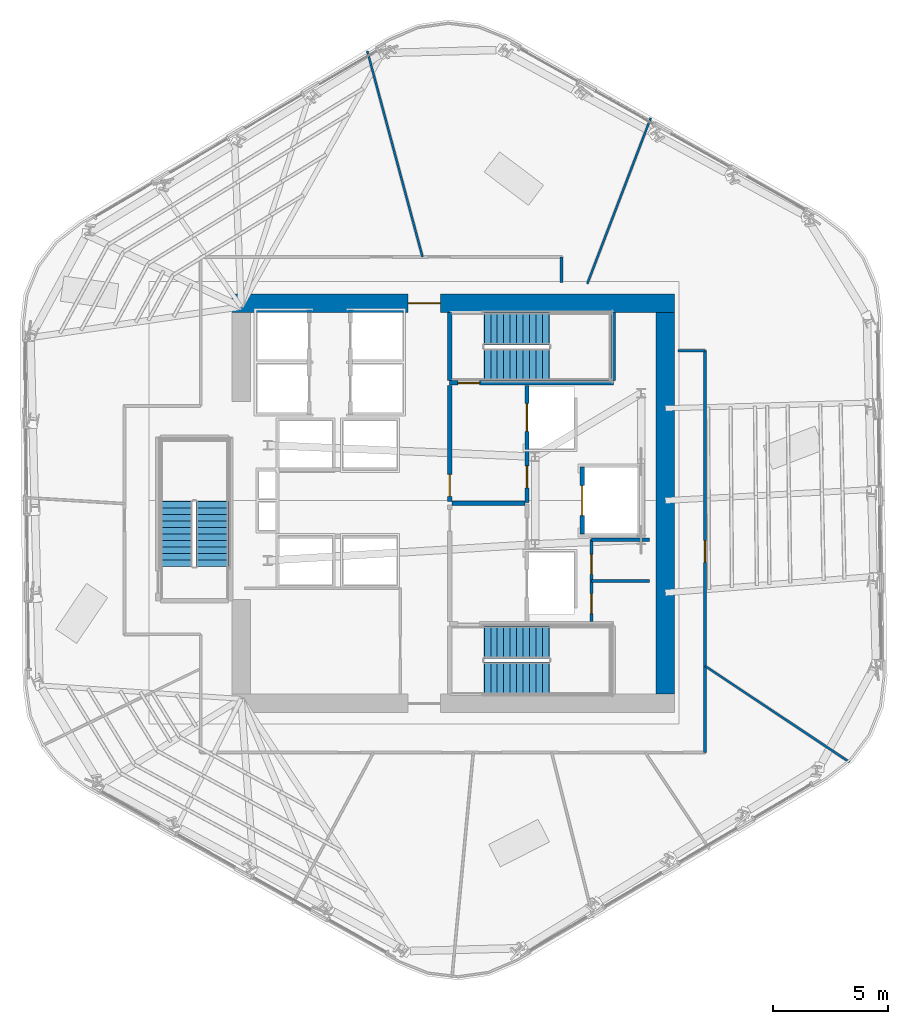
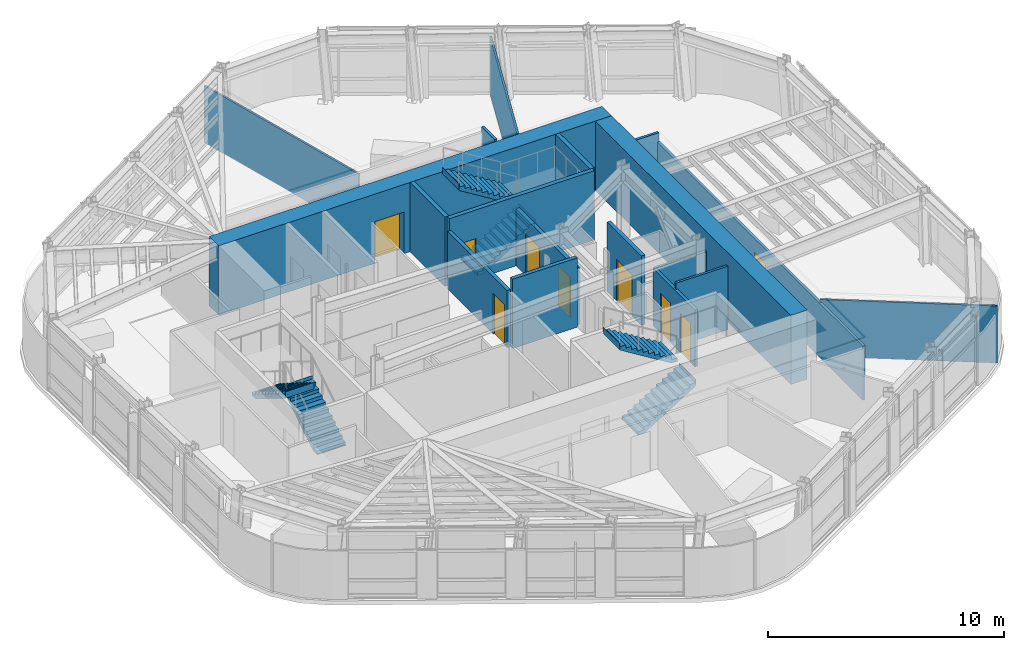
# One storey, part 9 of 16: 18 walls, 9 doors, 6 stair flights, 9 openings, 3 elements without a shape of their own.
"""IFC4 building model written with IfcOpenShell, lengths in metres."""

from ifc_helpers import new_model, si_unit, direction, frame, frame_2d, origin, place, context, subcontext, project, spatial, polyline, rectangle, outline, extrude, material, layer, layer_set, type_object, element, fill, aggregate, save


model = new_model("IFC4")

# Units and contexts
model_context = context("Model", 3, precision=1e-05, world=origin(), true_north=direction((0.0, 1.0)))
body_context = subcontext(model_context, "Body", "Model", "MODEL_VIEW")
ifc_project = project(units=[si_unit("LENGTHUNIT", "METRE"), si_unit("AREAUNIT", "SQUARE_METRE"), si_unit("VOLUMEUNIT", "CUBIC_METRE"), si_unit("PLANEANGLEUNIT", "RADIAN"), si_unit("MASSUNIT", "GRAM", prefix="KILO")], contexts=[model_context])

# Site, building, storey
site_placement = place(None, origin())
site = spatial("IfcSite", under=ifc_project, at=site_placement, CompositionType="ELEMENT")
building_placement = place(site_placement, origin())
building = spatial("IfcBuilding", under=site, at=building_placement, Name="Valkerne Bourse Tower", CompositionType="ELEMENT")
storey_placement = place(building_placement, frame((0.0, 0.0, 155.199951171875)))
storey = spatial("IfcBuildingStorey", under=building, at=storey_placement, Name="L39", CompositionType="ELEMENT", Elevation=155.199951171875)

# Wall, opening, door
ifc_material_1 = material(Name="Concrete C55/67", Category="concrete")
ifc_layer_1 = layer(ifc_material_1, 0.800048828125)
ifc_layer_set_1 = layer_set([ifc_layer_1], Name="Concrete C55/67")
wall_type_1 = type_object("IfcWallType", Name="W-CORE-800", PredefinedType="SHEAR", material=ifc_layer_set_1)
wall_1_placement = place(storey_placement, frame((37.199951171875, 35.550048828125, 0.0), z_axis=(0.0, 0.0, 1.0), x_axis=(1.0, 0.0, 0.0)))
wall_1 = element("IfcWall", 1, at=wall_1_placement, inside=storey, type_object=wall_type_1, Name="L39 Core Shear Wall NORTH", PredefinedType="SHEAR", context=body_context, shape_type="SweptSolid", body=[
    extrude(rectangle(XDim=19.199951171875, YDim=0.800048828125, at=frame_2d((9.60009765625, 0.0))), origin(), (0.0, 0.0, 1.0), 3.580078125),
])
opening_1_placement = place(wall_1_placement, frame((7.64990234375, 0.0, 0.0)))
opening_1 = element("IfcOpeningElement", 2, at=opening_1_placement, cuts=wall_1, Name="Opening D-PL-1400", PredefinedType="OPENING", context=body_context, shape_type="SweptSolid", body=[
    extrude(rectangle(XDim=1.39990234375, YDim=2.14990234375, at=frame_2d((0.699951171875, 1.074951171875))), frame((0.0, 0.409912109375, 0.0), z_axis=(0.0, -1.0, 0.0), x_axis=(1.0, 0.0, 0.0)), (0.0, 0.0, 1.0), 0.820068359375),
])
ifc_material_2 = material(Name="Galvanised Painted Steel", Category="steel")
door_type_1 = type_object("IfcDoorType", Name="DR-PLT-1400", OperationType="DOUBLE_DOOR_SINGLE_SWING", PredefinedType="DOOR", material=ifc_material_2)
door_1_placement = place(opening_1_placement, origin())
door_1 = element("IfcDoor", 3, at=door_1_placement, inside=storey, type_object=door_type_1, Name="L39 North Passenger Lift Hall Fire Door", OperationType="DOUBLE_DOOR_SINGLE_SWING", OverallHeight=2.14990234375, OverallWidth=1.39990234375, PredefinedType="DOOR", context=body_context, shape_type="SweptSolid", body=[
    extrude(rectangle(XDim=1.39990234375, YDim=2.14990234375, at=frame_2d((0.699951171875, 1.074951171875))), frame((0.0, 0.02490234375, 0.0), z_axis=(0.0, -1.0, 0.0), x_axis=(1.0, 0.0, 0.0)), (0.0, 0.0, 1.0), 0.050048828125),
])
fill(opening_1, door_1)

# Walls
wall_2_placement = place(storey_placement, frame((56.0, 18.60009765625, 0.0), z_axis=(0.0, 0.0, 1.0), x_axis=(0.0, 1.0, 0.0)))
element("IfcWall", 4, at=wall_2_placement, inside=storey, type_object=wall_type_1, Name="L39 Core Shear Wall EAST", PredefinedType="SHEAR", context=body_context, shape_type="SweptSolid", body=[
    extrude(rectangle(XDim=16.5498046875, YDim=0.800048828125, at=frame_2d((8.27490234375, 0.0))), origin(), (0.0, 0.0, 1.0), 3.580078125),
])
ifc_material_3 = material(Name="Gypsum Board Steel-Stud Partition", Category="steel")
ifc_layer_2 = layer(ifc_material_3, 0.117919921875)
ifc_layer_set_2 = layer_set([ifc_layer_2], Name="Gypsum Board Steel-Stud Partition")
wall_type_2 = type_object("IfcWallType", Name="W-CORR-140", PredefinedType="PARTITIONING", material=ifc_layer_set_2)
wall_3_placement = place(storey_placement, frame((52.800048828125, 23.510009765625, 0.0), z_axis=(0.0, 0.0, 1.0), x_axis=(1.0, 0.0, 0.0)))
element("IfcWall", 5, at=wall_3_placement, inside=storey, type_object=wall_type_2, Name="L39 Core SE Dual Divider", PredefinedType="PARTITIONING", context=body_context, shape_type="SweptSolid", body=[
    extrude(rectangle(XDim=2.52001953125, YDim=0.117919921875, at=frame_2d((1.260009765625, 0.0))), origin(), (0.0, 0.0, 1.0), 3.280029296875),
])
wall_4_placement = place(storey_placement, frame((51.5, 37.56005859375, 0.0), z_axis=(0.0, 0.0, 1.0), x_axis=(0.0, -1.0, 0.0)))
element("IfcWall", 6, at=wall_4_placement, inside=storey, type_object=wall_type_2, Name="L39 Corridor Enclosure Wall", PredefinedType="PARTITIONING", context=body_context, shape_type="SweptSolid", body=[
    extrude(rectangle(XDim=1.10009765625, YDim=0.117919921875, at=frame_2d((0.550048828125, 0.0))), origin(), (0.0, 0.0, 1.0), 3.280029296875),
])
wall_5_placement = place(storey_placement, frame((56.56005859375, 33.5, 0.0), z_axis=(0.0, 0.0, 1.0), x_axis=(1.0, 0.0, 0.0)))
element("IfcWall", 7, at=wall_5_placement, inside=storey, type_object=wall_type_2, Name="L39 Corridor Enclosure Wall", PredefinedType="PARTITIONING", context=body_context, shape_type="SweptSolid", body=[
    extrude(rectangle(XDim=1.159912109375, YDim=0.117919921875, at=frame_2d((0.580078125, 0.0))), origin(), (0.0, 0.0, 1.0), 3.280029296875),
])

# Wall, opening, door
wall_6_placement = place(storey_placement, frame((57.719970703125, 33.5, 0.0), z_axis=(0.0, 0.0, 1.0), x_axis=(0.0, -1.0, 0.0)))
wall_6 = element("IfcWall", 8, at=wall_6_placement, inside=storey, type_object=wall_type_2, Name="L39 Corridor Enclosure Wall", PredefinedType="PARTITIONING", context=body_context, shape_type="SweptSolid", body=[
    extrude(rectangle(XDim=17.419921875, YDim=0.117919921875, at=frame_2d((8.7099609375, 0.0))), origin(), (0.0, 0.0, 1.0), 2.800537109375),
])
opening_2_placement = place(wall_6_placement, frame((8.235107421875, 0.0, 0.0)))
opening_2 = element("IfcOpeningElement", 9, at=opening_2_placement, cuts=wall_6, Name="Opening D-OF-950", PredefinedType="OPENING", context=body_context, shape_type="SweptSolid", body=[
    extrude(rectangle(XDim=0.949951171875, YDim=2.10009765625, at=frame_2d((0.47509765625, 1.050048828125))), frame((0.0, 0.06884765625, 0.0), z_axis=(0.0, -1.0, 0.0), x_axis=(1.0, 0.0, 0.0)), (0.0, 0.0, 1.0), 0.137939453125),
])
ifc_material_4 = material(Name="Architectural White Oak Timber", Category="wood")
door_type_2 = type_object("IfcDoorType", Name="DR-OFF-950", OperationType="NOTDEFINED", PredefinedType="DOOR", material=ifc_material_4)
door_2_placement = place(opening_2_placement, origin())
door_2 = element("IfcDoor", 10, at=door_2_placement, inside=storey, type_object=door_type_2, Name="L39 L39 Trading Desk Office 9 Door", OperationType="SINGLE_SWING_LEFT", OverallHeight=2.10009765625, OverallWidth=0.949951171875, PredefinedType="DOOR", context=body_context, shape_type="SweptSolid", body=[
    extrude(rectangle(XDim=0.949951171875, YDim=2.10009765625, at=frame_2d((0.47509765625, 1.050048828125))), frame((0.0, 0.02490234375, 0.0), z_axis=(0.0, -1.0, 0.0), x_axis=(1.0, 0.0, 0.0)), (0.0, 0.0, 1.0), 0.050048828125),
])
fill(opening_2, door_2)

# Wall
ifc_material_5 = material(Name="Gypsum Fire-Rated Shaftwall", Category="gypsum")
ifc_layer_3 = layer(ifc_material_5, 0.179931640625)
ifc_layer_set_3 = layer_set([ifc_layer_3], Name="Gypsum Fire-Rated Shaftwall")
wall_type_3 = type_object("IfcWallType", Name="W-FSAE-180", PredefinedType="PARTITIONING", material=ifc_layer_set_3)
wall_7_placement = place(storey_placement, frame((46.739990234375, 26.8798828125, 0.0), z_axis=(0.0, 0.0, 1.0), x_axis=(1.0, 0.0, 0.0)))
element("IfcWall", 11, at=wall_7_placement, inside=storey, type_object=wall_type_3, Name="L39 FSAE-1/2 Lobby Dividing Fire Wall", PredefinedType="PARTITIONING", context=body_context, shape_type="SweptSolid", body=[
    extrude(rectangle(XDim=3.169921875, YDim=0.179931640625, at=frame_2d((1.5849609375, 0.0))), origin(), (0.0, 0.0, 1.0), 3.580078125),
])

# Wall, opening, door
wall_8_placement = place(storey_placement, frame((46.64990234375, 26.9599609375, 0.0), z_axis=(0.0, 0.0, 1.0), x_axis=(0.0, 1.0, 0.0)))
wall_8 = element("IfcWall", 12, at=wall_8_placement, inside=storey, type_object=wall_type_3, Name="L39 FSAE-2 Lobby West Fire Wall", PredefinedType="PARTITIONING", context=body_context, shape_type="SweptSolid", body=[
    extrude(rectangle(XDim=5.0400390625, YDim=0.179931640625, at=frame_2d((2.52001953125, 0.0))), origin(), (0.0, 0.0, 1.0), 2.9580078125),
])
opening_3_placement = place(wall_8_placement, frame((0.219970703125, 0.0, 0.0)))
opening_3 = element("IfcOpeningElement", 13, at=opening_3_placement, cuts=wall_8, Name="Opening D-FS-950", PredefinedType="OPENING", context=body_context, shape_type="SweptSolid", body=[
    extrude(rectangle(XDim=0.949951171875, YDim=2.10009765625, at=frame_2d((0.47509765625, 1.050048828125))), frame((0.0, 0.099853515625, 0.0), z_axis=(0.0, -1.0, 0.0), x_axis=(1.0, 0.0, 0.0)), (0.0, 0.0, 1.0), 0.199951171875),
])
door_type_3 = type_object("IfcDoorType", Name="DR-FSAE-950", OperationType="NOTDEFINED", PredefinedType="DOOR", material=ifc_material_2)
door_3_placement = place(opening_3_placement, origin())
door_3 = element("IfcDoor", 14, at=door_3_placement, inside=storey, type_object=door_type_3, Name="L39 FSAE-2 Hall Link Fire Door", OperationType="SINGLE_SWING_LEFT", OverallHeight=2.10009765625, OverallWidth=0.949951171875, PredefinedType="DOOR", context=body_context, shape_type="SweptSolid", body=[
    extrude(rectangle(XDim=0.949951171875, YDim=2.10009765625, at=frame_2d((0.47509765625, 1.050048828125))), frame((0.0, 0.02490234375, 0.0), z_axis=(0.0, -1.0, 0.0), x_axis=(1.0, 0.0, 0.0)), (0.0, 0.0, 1.0), 0.050048828125),
])
fill(opening_3, door_3)

# Wall, openings, doors
wall_9_placement = place(storey_placement, frame((50.0, 26.919921875, 0.0), z_axis=(0.0, 0.0, 1.0), x_axis=(0.0, 1.0, 0.0)))
wall_9 = element("IfcWall", 15, at=wall_9_placement, inside=storey, type_object=wall_type_3, Name="L39 FSAE-2 Lobby & Shaft Front Wall", PredefinedType="PARTITIONING", context=body_context, shape_type="SweptSolid", body=[
    extrude(rectangle(XDim=5.080078125, YDim=0.179931640625, at=frame_2d((2.5400390625, 0.0))), origin(), (0.0, 0.0, 1.0), 2.9580078125),
])
opening_4_placement = place(wall_9_placement, frame((3.080078125, 0.0, 0.0)))
opening_4 = element("IfcOpeningElement", 16, at=opening_4_placement, cuts=wall_9, Name="Opening LD-1200", PredefinedType="OPENING", context=body_context, shape_type="SweptSolid", body=[
    extrude(rectangle(XDim=1.199951171875, YDim=2.14990234375, at=frame_2d((0.60009765625, 1.074951171875))), frame((0.0, 0.099853515625, 0.0), z_axis=(0.0, -1.0, 0.0), x_axis=(1.0, 0.0, 0.0)), (0.0, 0.0, 1.0), 0.199951171875),
])
opening_5_placement = place(wall_9_placement, frame((0.6298828125, 0.0, 0.0)))
opening_5 = element("IfcOpeningElement", 17, at=opening_5_placement, cuts=wall_9, Name="Opening D-FS-950", PredefinedType="OPENING", context=body_context, shape_type="SweptSolid", body=[
    extrude(rectangle(XDim=0.949951171875, YDim=2.10009765625, at=frame_2d((0.47509765625, 1.050048828125))), frame((0.0, 0.099853515625, 0.0), z_axis=(0.0, -1.0, 0.0), x_axis=(1.0, 0.0, 0.0)), (0.0, 0.0, 1.0), 0.199951171875),
])
door_4_placement = place(opening_5_placement, origin())
door_4 = element("IfcDoor", 18, at=door_4_placement, inside=storey, type_object=door_type_3, Name="L39 FSAE-2 Lobby Corridor Fire Door", OperationType="SINGLE_SWING_LEFT", OverallHeight=2.10009765625, OverallWidth=0.949951171875, PredefinedType="DOOR", context=body_context, shape_type="SweptSolid", body=[
    extrude(rectangle(XDim=0.949951171875, YDim=2.10009765625, at=frame_2d((0.47509765625, 1.050048828125))), frame((0.0, 0.02490234375, 0.0), z_axis=(0.0, -1.0, 0.0), x_axis=(1.0, 0.0, 0.0)), (0.0, 0.0, 1.0), 0.050048828125),
])
fill(opening_5, door_4)
ifc_material_6 = material(Name="Stainless Steel AISI 316", Category="steel")
door_type_4 = type_object("IfcDoorType", Name="DR-LIFT-1200", OperationType="DOUBLE_DOOR_SLIDING", PredefinedType="DOOR", material=ifc_material_6)
door_5_placement = place(opening_4_placement, origin())
door_5 = element("IfcDoor", 19, at=door_5_placement, inside=storey, type_object=door_type_4, Name="L39 FSAE-2 Firefighting Lift Landing Door", OperationType="DOUBLE_DOOR_SLIDING", OverallHeight=2.14990234375, OverallWidth=1.199951171875, PredefinedType="DOOR", context=body_context, shape_type="SweptSolid", body=[
    extrude(rectangle(XDim=1.199951171875, YDim=2.14990234375, at=frame_2d((0.60009765625, 1.074951171875))), frame((0.0, 0.02490234375, 0.0), z_axis=(0.0, -1.0, 0.0), x_axis=(1.0, 0.0, 0.0)), (0.0, 0.0, 1.0), 0.050048828125),
])
fill(opening_4, door_5)

# Wall, opening, door
ifc_material_7 = material(Name="CMU Blockwork Masonry 200mm", Category="masonry")
ifc_layer_4 = layer(ifc_material_7, 0.179931640625)
ifc_layer_set_4 = layer_set([ifc_layer_4], Name="CMU Blockwork Masonry 200mm")
wall_type_4 = type_object("IfcWallType", Name="W-LFT-180", PredefinedType="SOLIDWALL", material=ifc_layer_set_4)
wall_10_placement = place(storey_placement, frame((52.39990234375, 25.550048828125, 0.0), z_axis=(0.0, 0.0, 1.0), x_axis=(0.0, 1.0, 0.0)))
wall_10 = element("IfcWall", 20, at=wall_10_placement, inside=storey, type_object=wall_type_4, Name="L39 Service Lift SV-1 Front Wall", PredefinedType="SOLIDWALL", context=body_context, shape_type="SweptSolid", body=[
    extrude(rectangle(XDim=2.89990234375, YDim=0.179931640625, at=frame_2d((1.449951171875, 0.0))), origin(), (0.0, 0.0, 1.0), 3.580078125),
])
opening_6_placement = place(wall_10_placement, frame((0.800048828125, 0.0, 0.0)))
opening_6 = element("IfcOpeningElement", 21, at=opening_6_placement, cuts=wall_10, Name="Opening LD-1300", PredefinedType="OPENING", context=body_context, shape_type="SweptSolid", body=[
    extrude(rectangle(XDim=1.300048828125, YDim=2.14990234375, at=frame_2d((0.64990234375, 1.074951171875))), frame((0.0, 0.099853515625, 0.0), z_axis=(0.0, -1.0, 0.0), x_axis=(1.0, 0.0, 0.0)), (0.0, 0.0, 1.0), 0.199951171875),
])
door_type_5 = type_object("IfcDoorType", Name="DR-LIFT-1300", OperationType="DOUBLE_DOOR_SLIDING", PredefinedType="DOOR", material=ifc_material_6)
door_6_placement = place(opening_6_placement, origin())
door_6 = element("IfcDoor", 22, at=door_6_placement, inside=storey, type_object=door_type_5, Name="L39 Service Lift SV-1 Landing Door", OperationType="DOUBLE_DOOR_SLIDING", OverallHeight=2.14990234375, OverallWidth=1.300048828125, PredefinedType="DOOR", context=body_context, shape_type="SweptSolid", body=[
    extrude(rectangle(XDim=1.300048828125, YDim=2.14990234375, at=frame_2d((0.64990234375, 1.074951171875))), frame((0.0, 0.02490234375, 0.0), z_axis=(0.0, -1.0, 0.0), x_axis=(1.0, 0.0, 0.0)), (0.0, 0.0, 1.0), 0.050048828125),
])
fill(opening_6, door_6)

# Walls
ifc_layer_5 = layer(ifc_material_3, 0.092041015625)
ifc_layer_set_5 = layer_set([ifc_layer_5], Name="Gypsum Board Steel-Stud Partition")
wall_type_5 = type_object("IfcWallType", Name="W-PART-115", PredefinedType="PARTITIONING", material=ifc_layer_set_5)
wall_11_placement = place(storey_placement, frame((57.72509765625, 19.82470703125, 0.0), z_axis=(0.0, 0.0, 1.0), x_axis=(0.832389423116, -0.554191165831, 0.0)))
element("IfcWall", 23, at=wall_11_placement, inside=storey, type_object=wall_type_5, Name="L39 Suite Partition P04", PredefinedType="PARTITIONING", context=body_context, shape_type="SweptSolid", body=[
    extrude(rectangle(XDim=7.52783203125, YDim=0.092041015625, at=frame_2d((3.763916015625, 0.0))), origin(), (0.0, 0.0, 1.0), 2.942626953125),
])
wall_12_placement = place(storey_placement, frame((52.616943359375, 36.39990234375, 0.0), z_axis=(0.0, 0.0, 1.0), x_axis=(0.357310009347, 0.933985844229, 0.0)))
element("IfcWall", 24, at=wall_12_placement, inside=storey, type_object=wall_type_5, Name="L39 Suite Partition P05", PredefinedType="PARTITIONING", context=body_context, shape_type="SweptSolid", body=[
    extrude(rectangle(XDim=7.697021484375, YDim=0.092041015625, at=frame_2d((3.8486328125, 0.0))), origin(), (0.0, 0.0, 1.0), 2.942626953125),
])
wall_13_placement = place(storey_placement, frame((45.470703125, 37.56494140625, 0.0), z_axis=(0.0, 0.0, 1.0), x_axis=(-0.259112340034, 0.96584719042, 0.0)))
element("IfcWall", 25, at=wall_13_placement, inside=storey, type_object=wall_type_5, Name="L39 Suite Partition P06", PredefinedType="PARTITIONING", context=body_context, shape_type="SweptSolid", body=[
    extrude(rectangle(XDim=9.2431640625, YDim=0.092041015625, at=frame_2d((4.62158203125, 0.0))), origin(), (0.0, 0.0, 1.0), 2.942626953125),
])

# Wall, opening, door
ifc_material_8 = material(Name="Concrete C40/50", Category="concrete")
ifc_layer_6 = layer(ifc_material_8, 0.199951171875)
ifc_layer_set_6 = layer_set([ifc_layer_6], Name="Concrete C40/50")
wall_type_6 = type_object("IfcWallType", Name="W-SHF-200", PredefinedType="SHEAR", material=ifc_layer_set_6)
wall_14_placement = place(storey_placement, frame((46.64990234375, 32.10009765625, 0.0), z_axis=(0.0, 0.0, 1.0), x_axis=(1.0, 0.0, 0.0)))
wall_14 = element("IfcWall", 26, at=wall_14_placement, inside=storey, type_object=wall_type_6, Name="L39 Exit Stair ST-2 Structural Shaft Wall South", PredefinedType="SHEAR", context=body_context, shape_type="SweptSolid", body=[
    extrude(rectangle(XDim=7.10009765625, YDim=0.199951171875, at=frame_2d((3.550048828125, 0.0))), origin(), (0.0, 0.0, 1.0), 3.580078125),
])
opening_7_placement = place(wall_14_placement, frame((0.35009765625, 0.0, 0.0)))
opening_7 = element("IfcOpeningElement", 27, at=opening_7_placement, cuts=wall_14, Name="Opening D-ST-950", PredefinedType="OPENING", context=body_context, shape_type="SweptSolid", body=[
    extrude(rectangle(XDim=0.949951171875, YDim=2.10009765625, at=frame_2d((0.47509765625, 1.050048828125))), frame((0.0, 0.10986328125, 0.0), z_axis=(0.0, -1.0, 0.0), x_axis=(1.0, 0.0, 0.0)), (0.0, 0.0, 1.0), 0.219970703125),
])
door_type_6 = type_object("IfcDoorType", Name="DR-STAIR-950", OperationType="NOTDEFINED", PredefinedType="DOOR", material=ifc_material_2)
door_7_placement = place(opening_7_placement, origin())
door_7 = element("IfcDoor", 28, at=door_7_placement, inside=storey, type_object=door_type_6, Name="L39 Exit Stair ST-2 Door", OperationType="SINGLE_SWING_RIGHT", OverallHeight=2.10009765625, OverallWidth=0.949951171875, PredefinedType="DOOR", context=body_context, shape_type="SweptSolid", body=[
    extrude(rectangle(XDim=0.949951171875, YDim=2.10009765625, at=frame_2d((0.47509765625, 1.050048828125))), frame((0.0, 0.02490234375, 0.0), z_axis=(0.0, -1.0, 0.0), x_axis=(1.0, 0.0, 0.0)), (0.0, 0.0, 1.0), 0.050048828125),
])
fill(opening_7, door_7)

# Walls
for number, where, z_axis, x_axis, name in (
    (29, (46.64990234375, 32.199951171875, 0.0), (0.0, 0.0, 1.0), (0.0, 1.0, 0.0), "L39 Exit Stair ST-2 Structural Shaft Wall West"),
    (30, (53.75, 32.199951171875, 0.0), (0.0, 0.0, 1.0), (0.0, 1.0, 0.0), "L39 Exit Stair ST-2 Structural Shaft Wall East"),
):
    element("IfcWall", number, at=place(storey_placement, frame(where, z_axis=z_axis, x_axis=x_axis)), inside=storey, type_object=wall_type_6, Name=name, PredefinedType="SHEAR", context=body_context, shape_type="SweptSolid", body=[
        extrude(rectangle(XDim=2.949951171875, YDim=0.199951171875, at=frame_2d((1.47509765625, 0.0))), origin(), (0.0, 0.0, 1.0), 3.580078125),
    ])

# Wall, openings, doors
ifc_material_9 = material(Name="Moisture-Resistant Gypsum Partition", Category="gypsum")
ifc_layer_7 = layer(ifc_material_9, 0.139892578125)
ifc_layer_set_7 = layer_set([ifc_layer_7], Name="Moisture-Resistant Gypsum Partition")
wall_type_7 = type_object("IfcWallType", Name="W-WET-140", PredefinedType="PARTITIONING", material=ifc_layer_set_7)
wall_15_placement = place(storey_placement, frame((52.800048828125, 21.75, 0.0), z_axis=(0.0, 0.0, 1.0), x_axis=(0.0, 1.0, 0.0)))
wall_15 = element("IfcWall", 31, at=wall_15_placement, inside=storey, type_object=wall_type_7, Name="L39 Core SE Dual West Wall", PredefinedType="PARTITIONING", context=body_context, shape_type="SweptSolid", body=[
    extrude(rectangle(XDim=3.550048828125, YDim=0.139892578125, at=frame_2d((1.77490234375, 0.0))), origin(), (0.0, 0.0, 1.0), 2.9580078125),
])
opening_8_placement = place(wall_15_placement, frame((0.35009765625, 0.0, 0.0)))
opening_8 = element("IfcOpeningElement", 32, at=opening_8_placement, cuts=wall_15, Name="Opening D-WC-900", PredefinedType="OPENING", context=body_context, shape_type="SweptSolid", body=[
    extrude(rectangle(XDim=0.860107421875, YDim=2.050048828125, at=frame_2d((0.43017578125, 1.02490234375))), frame((0.0, 0.079833984375, 0.0), z_axis=(0.0, -1.0, 0.0), x_axis=(1.0, 0.0, 0.0)), (0.0, 0.0, 1.0), 0.159912109375),
])
opening_9_placement = place(wall_15_placement, frame((2.050048828125, 0.0, 0.0)))
opening_9 = element("IfcOpeningElement", 33, at=opening_9_placement, cuts=wall_15, Name="Opening D-WC-900", PredefinedType="OPENING", context=body_context, shape_type="SweptSolid", body=[
    extrude(rectangle(XDim=0.860107421875, YDim=2.050048828125, at=frame_2d((0.43017578125, 1.02490234375))), frame((0.0, 0.079833984375, 0.0), z_axis=(0.0, -1.0, 0.0), x_axis=(1.0, 0.0, 0.0)), (0.0, 0.0, 1.0), 0.159912109375),
])
door_type_7 = type_object("IfcDoorType", Name="DR-WC-900", OperationType="NOTDEFINED", PredefinedType="DOOR", material=ifc_material_4)
door_8_placement = place(opening_8_placement, origin())
door_8 = element("IfcDoor", 34, at=door_8_placement, inside=storey, type_object=door_type_7, Name="L39 Linen Store Door", OperationType="SINGLE_SWING_LEFT", OverallHeight=2.050048828125, OverallWidth=0.860107421875, PredefinedType="DOOR", context=body_context, shape_type="SweptSolid", body=[
    extrude(rectangle(XDim=0.860107421875, YDim=2.050048828125, at=frame_2d((0.43017578125, 1.02490234375))), frame((0.0, 0.02490234375, 0.0), z_axis=(0.0, -1.0, 0.0), x_axis=(1.0, 0.0, 0.0)), (0.0, 0.0, 1.0), 0.050048828125),
])
fill(opening_8, door_8)
door_9_placement = place(opening_9_placement, origin())
door_9 = element("IfcDoor", 35, at=door_9_placement, inside=storey, type_object=door_type_7, Name="L39 Espresso Kitchen Door", OperationType="SINGLE_SWING_RIGHT", OverallHeight=2.050048828125, OverallWidth=0.860107421875, PredefinedType="DOOR", context=body_context, shape_type="SweptSolid", body=[
    extrude(rectangle(XDim=0.860107421875, YDim=2.050048828125, at=frame_2d((0.43017578125, 1.02490234375))), frame((0.0, 0.02490234375, 0.0), z_axis=(0.0, -1.0, 0.0), x_axis=(1.0, 0.0, 0.0)), (0.0, 0.0, 1.0), 0.050048828125),
])
fill(opening_9, door_9)

# Wall
wall_16_placement = place(storey_placement, frame((52.800048828125, 25.300048828125, 0.0), z_axis=(0.0, 0.0, 1.0), x_axis=(1.0, 0.0, 0.0)))
element("IfcWall", 36, at=wall_16_placement, inside=storey, type_object=wall_type_7, Name="L39 Core SE Dual North Wall", PredefinedType="PARTITIONING", context=body_context, shape_type="SweptSolid", body=[
    extrude(rectangle(XDim=2.52001953125, YDim=0.139892578125, at=frame_2d((1.260009765625, 0.0))), origin(), (0.0, 0.0, 1.0), 2.9580078125),
])

# Stair, stair flights
stair_type = type_object("IfcStairType", Name="ST-CORE-1400", PredefinedType="HALF_TURN_STAIR", material=ifc_material_8)
stair_1_placement = place(storey_placement, origin())
stair_1 = element("IfcStair", 37, at=stair_1_placement, inside=storey, type_object=stair_type, Name="L39 ST-1", PredefinedType="HALF_TURN_STAIR")
stair_flight_type = type_object("IfcStairFlightType", Name="STF-CORE-1400", PredefinedType="STRAIGHT", material=ifc_material_8)
stair_flight_1_placement = place(storey_placement, frame((48.14990234375, 19.300048828125, 0.0), z_axis=(0.0, 0.0, 1.0), x_axis=(1.0, 0.0, 0.0)))
stair_flight_1 = element("IfcStairFlight", 38, at=stair_flight_1_placement, type_object=stair_flight_type, Name="ST-1 flight 1", NumberOfRisers=11, NumberOfTreads=10, PredefinedType="STRAIGHT", RiserHeight=0.172727273, TreadLength=0.28, context=body_context, shape_type="SweptSolid", body=[
    extrude(outline(polyline([(-0.02001953125, 0.0), (-0.02001953125, 0.044921875), (0.0, 0.044921875), (0.0, 0.172607421875), (0.280029296875, 0.172607421875), (0.280029296875, 0.345458984375), (0.56005859375, 0.345458984375), (0.56005859375, 0.51806640625), (0.840087890625, 0.51806640625), (0.840087890625, 0.69091796875), (1.1201171875, 0.69091796875), (1.1201171875, 0.863525390625), (1.39990234375, 0.863525390625), (1.39990234375, 1.036376953125), (1.679931640625, 1.036376953125), (1.679931640625, 1.208984375), (1.9599609375, 1.208984375), (1.9599609375, 1.3818359375), (2.239990234375, 1.3818359375), (2.239990234375, 1.554443359375), (2.52001953125, 1.554443359375), (2.52001953125, 1.727294921875), (2.800048828125, 1.727294921875), (2.800048828125, 1.89990234375), (2.820068359375, 1.89990234375), (2.820068359375, 1.780029296875), (2.800048828125, 1.551025390625), (0.285400390625, 0.0), (-0.02001953125, 0.0)])), frame((0.0, 0.699951171875, 0.0), z_axis=(0.0, -1.0, 0.0), x_axis=(1.0, 0.0, 0.0)), (0.0, 0.0, 1.0), 1.39990234375),
])
stair_flight_2_placement = place(storey_placement, frame((50.949951171875, 20.85009765625, 1.900146484375), z_axis=(0.0, 0.0, 1.0), x_axis=(-1.0, 0.0, 0.0)))
stair_flight_2 = element("IfcStairFlight", 39, at=stair_flight_2_placement, type_object=stair_flight_type, Name="ST-1 flight 2", NumberOfRisers=11, NumberOfTreads=10, PredefinedType="STRAIGHT", RiserHeight=0.172727273, TreadLength=0.28, context=body_context, shape_type="SweptSolid", body=[
    extrude(outline(polyline([(-0.02001953125, 0.0), (-0.02001953125, 0.044921875), (0.0, 0.044921875), (0.0, 0.172607421875), (0.280029296875, 0.172607421875), (0.280029296875, 0.345458984375), (0.56005859375, 0.345458984375), (0.56005859375, 0.51806640625), (0.840087890625, 0.51806640625), (0.840087890625, 0.69091796875), (1.1201171875, 0.69091796875), (1.1201171875, 0.863525390625), (1.39990234375, 0.863525390625), (1.39990234375, 1.036376953125), (1.679931640625, 1.036376953125), (1.679931640625, 1.208984375), (1.9599609375, 1.208984375), (1.9599609375, 1.3818359375), (2.239990234375, 1.3818359375), (2.239990234375, 1.554443359375), (2.52001953125, 1.554443359375), (2.52001953125, 1.727294921875), (2.800048828125, 1.727294921875), (2.800048828125, 1.89990234375), (2.820068359375, 1.89990234375), (2.820068359375, 1.780029296875), (2.800048828125, 1.551025390625), (0.285400390625, 0.0), (-0.02001953125, 0.0)])), frame((0.0, 0.699951171875, 0.0), z_axis=(0.0, -1.0, 0.0), x_axis=(1.0, 0.0, 0.0)), (0.0, 0.0, 1.0), 1.39990234375),
])
aggregate(stair_1, [stair_flight_1, stair_flight_2])

stair_2_placement = place(storey_placement, origin())
stair_2 = element("IfcStair", 40, at=stair_2_placement, inside=storey, type_object=stair_type, Name="L39 ST-2", PredefinedType="HALF_TURN_STAIR")
stair_flight_3_placement = place(storey_placement, frame((48.14990234375, 32.89990234375, 0.0), z_axis=(0.0, 0.0, 1.0), x_axis=(1.0, 0.0, 0.0)))
stair_flight_3 = element("IfcStairFlight", 41, at=stair_flight_3_placement, type_object=stair_flight_type, Name="ST-2 flight 1", NumberOfRisers=11, NumberOfTreads=10, PredefinedType="STRAIGHT", RiserHeight=0.172727273, TreadLength=0.28, context=body_context, shape_type="SweptSolid", body=[
    extrude(outline(polyline([(-0.02001953125, 0.0), (-0.02001953125, 0.044921875), (0.0, 0.044921875), (0.0, 0.172607421875), (0.280029296875, 0.172607421875), (0.280029296875, 0.345458984375), (0.56005859375, 0.345458984375), (0.56005859375, 0.51806640625), (0.840087890625, 0.51806640625), (0.840087890625, 0.69091796875), (1.1201171875, 0.69091796875), (1.1201171875, 0.863525390625), (1.39990234375, 0.863525390625), (1.39990234375, 1.036376953125), (1.679931640625, 1.036376953125), (1.679931640625, 1.208984375), (1.9599609375, 1.208984375), (1.9599609375, 1.3818359375), (2.239990234375, 1.3818359375), (2.239990234375, 1.554443359375), (2.52001953125, 1.554443359375), (2.52001953125, 1.727294921875), (2.800048828125, 1.727294921875), (2.800048828125, 1.89990234375), (2.820068359375, 1.89990234375), (2.820068359375, 1.780029296875), (2.800048828125, 1.551025390625), (0.285400390625, 0.0), (-0.02001953125, 0.0)])), frame((0.0, 0.699951171875, 0.0), z_axis=(0.0, -1.0, 0.0), x_axis=(1.0, 0.0, 0.0)), (0.0, 0.0, 1.0), 1.39990234375),
])
stair_flight_4_placement = place(storey_placement, frame((50.949951171875, 34.449951171875, 1.900146484375), z_axis=(0.0, 0.0, 1.0), x_axis=(-1.0, 0.0, 0.0)))
stair_flight_4 = element("IfcStairFlight", 42, at=stair_flight_4_placement, type_object=stair_flight_type, Name="ST-2 flight 2", NumberOfRisers=11, NumberOfTreads=10, PredefinedType="STRAIGHT", RiserHeight=0.172727273, TreadLength=0.28, context=body_context, shape_type="SweptSolid", body=[
    extrude(outline(polyline([(-0.02001953125, 0.0), (-0.02001953125, 0.044921875), (0.0, 0.044921875), (0.0, 0.172607421875), (0.280029296875, 0.172607421875), (0.280029296875, 0.345458984375), (0.56005859375, 0.345458984375), (0.56005859375, 0.51806640625), (0.840087890625, 0.51806640625), (0.840087890625, 0.69091796875), (1.1201171875, 0.69091796875), (1.1201171875, 0.863525390625), (1.39990234375, 0.863525390625), (1.39990234375, 1.036376953125), (1.679931640625, 1.036376953125), (1.679931640625, 1.208984375), (1.9599609375, 1.208984375), (1.9599609375, 1.3818359375), (2.239990234375, 1.3818359375), (2.239990234375, 1.554443359375), (2.52001953125, 1.554443359375), (2.52001953125, 1.727294921875), (2.800048828125, 1.727294921875), (2.800048828125, 1.89990234375), (2.820068359375, 1.89990234375), (2.820068359375, 1.780029296875), (2.800048828125, 1.551025390625), (0.285400390625, 0.0), (-0.02001953125, 0.0)])), frame((0.0, 0.699951171875, 0.0), z_axis=(0.0, -1.0, 0.0), x_axis=(1.0, 0.0, 0.0)), (0.0, 0.0, 1.0), 1.39990234375),
])
aggregate(stair_2, [stair_flight_3, stair_flight_4])

stair_3_placement = place(storey_placement, origin())
stair_3 = element("IfcStair", 43, at=stair_3_placement, inside=storey, type_object=stair_type, Name="L39 ST-3", PredefinedType="HALF_TURN_STAIR")
stair_flight_5_placement = place(storey_placement, frame((36.35009765625, 24.14990234375, 0.0), z_axis=(0.0, 0.0, 1.0), x_axis=(0.0, 1.0, 0.0)))
stair_flight_5 = element("IfcStairFlight", 44, at=stair_flight_5_placement, type_object=stair_flight_type, Name="ST-3 flight 1", NumberOfRisers=11, NumberOfTreads=10, PredefinedType="STRAIGHT", RiserHeight=0.172727273, TreadLength=0.28, context=body_context, shape_type="SweptSolid", body=[
    extrude(outline(polyline([(-0.02001953125, 0.0), (-0.02001953125, 0.044921875), (0.0, 0.044921875), (0.0, 0.172607421875), (0.280029296875, 0.172607421875), (0.280029296875, 0.345458984375), (0.56005859375, 0.345458984375), (0.56005859375, 0.51806640625), (0.840087890625, 0.51806640625), (0.840087890625, 0.69091796875), (1.1201171875, 0.69091796875), (1.1201171875, 0.863525390625), (1.39990234375, 0.863525390625), (1.39990234375, 1.036376953125), (1.679931640625, 1.036376953125), (1.679931640625, 1.208984375), (1.9599609375, 1.208984375), (1.9599609375, 1.3818359375), (2.239990234375, 1.3818359375), (2.239990234375, 1.554443359375), (2.52001953125, 1.554443359375), (2.52001953125, 1.727294921875), (2.800048828125, 1.727294921875), (2.800048828125, 1.89990234375), (2.820068359375, 1.89990234375), (2.820068359375, 1.780029296875), (2.800048828125, 1.551025390625), (0.285400390625, 0.0), (-0.02001953125, 0.0)])), frame((0.0, 0.699951171875, 0.0), z_axis=(0.0, -1.0, 0.0), x_axis=(1.0, 0.0, 0.0)), (0.0, 0.0, 1.0), 1.39990234375),
])
stair_flight_6_placement = place(storey_placement, frame((34.800048828125, 26.949951171875, 1.900146484375), z_axis=(0.0, 0.0, 1.0), x_axis=(0.0, -1.0, 0.0)))
stair_flight_6 = element("IfcStairFlight", 45, at=stair_flight_6_placement, type_object=stair_flight_type, Name="ST-3 flight 2", NumberOfRisers=11, NumberOfTreads=10, PredefinedType="STRAIGHT", RiserHeight=0.172727273, TreadLength=0.28, context=body_context, shape_type="SweptSolid", body=[
    extrude(outline(polyline([(-0.02001953125, 0.0), (-0.02001953125, 0.044921875), (0.0, 0.044921875), (0.0, 0.172607421875), (0.280029296875, 0.172607421875), (0.280029296875, 0.345458984375), (0.56005859375, 0.345458984375), (0.56005859375, 0.51806640625), (0.840087890625, 0.51806640625), (0.840087890625, 0.69091796875), (1.1201171875, 0.69091796875), (1.1201171875, 0.863525390625), (1.39990234375, 0.863525390625), (1.39990234375, 1.036376953125), (1.679931640625, 1.036376953125), (1.679931640625, 1.208984375), (1.9599609375, 1.208984375), (1.9599609375, 1.3818359375), (2.239990234375, 1.3818359375), (2.239990234375, 1.554443359375), (2.52001953125, 1.554443359375), (2.52001953125, 1.727294921875), (2.800048828125, 1.727294921875), (2.800048828125, 1.89990234375), (2.820068359375, 1.89990234375), (2.820068359375, 1.780029296875), (2.800048828125, 1.551025390625), (0.285400390625, 0.0), (-0.02001953125, 0.0)])), frame((0.0, 0.699951171875, 0.0), z_axis=(0.0, -1.0, 0.0), x_axis=(1.0, 0.0, 0.0)), (0.0, 0.0, 1.0), 1.39990234375),
])
aggregate(stair_3, [stair_flight_5, stair_flight_6])

save(model, "model.ifc")
